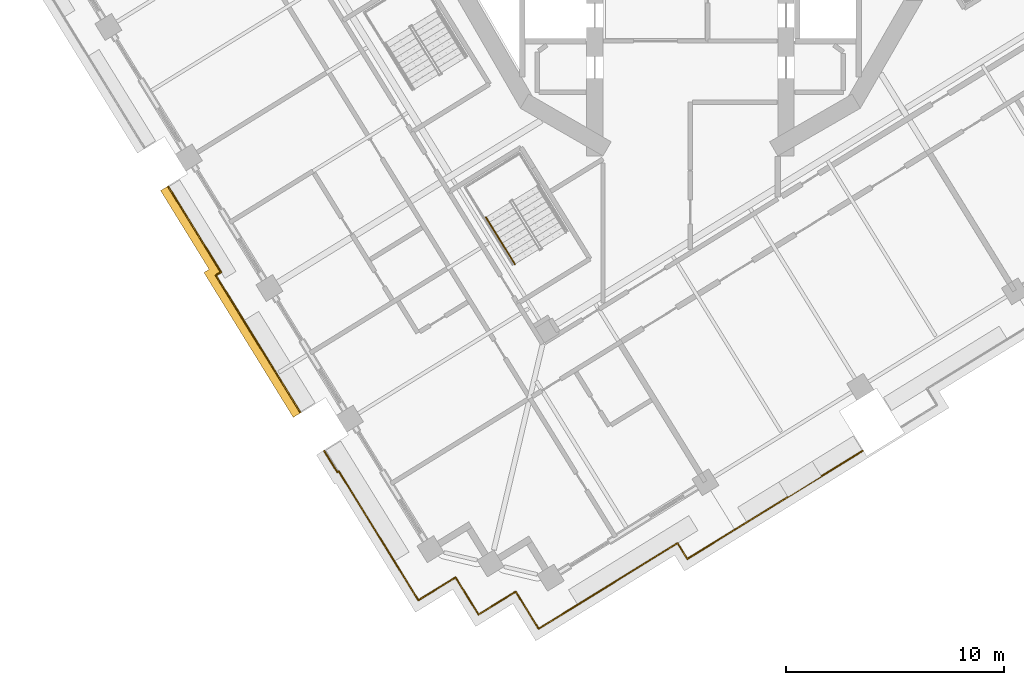
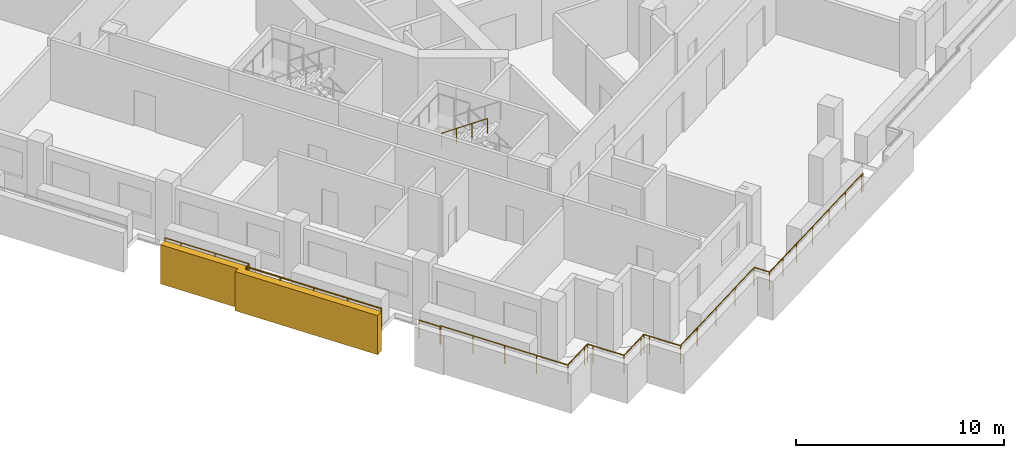
# One storey, part 12 of 21: 5 railings, 1 covering.
"""IFC4 building model written with IfcOpenShell, lengths in metres."""

from ifc_helpers import new_model, si_unit, direction, frame, origin, origin_2d, place, context, subcontext, project, spatial, polyline, circle, outline, extrude, material, type_object, element, save


model = new_model("IFC4")

# Units and contexts
model_context = context("Model", 3, precision=1e-05, world=origin(), true_north=direction((0.0, 1.0)))
body_context = subcontext(model_context, "Body", "Model", "MODEL_VIEW")
ifc_project = project(units=[si_unit("LENGTHUNIT", "METRE"), si_unit("AREAUNIT", "SQUARE_METRE"), si_unit("VOLUMEUNIT", "CUBIC_METRE"), si_unit("PLANEANGLEUNIT", "RADIAN"), si_unit("MASSUNIT", "GRAM", prefix="KILO")], contexts=[model_context])

# Site, building, storey
site_placement = place(None, origin())
site = spatial("IfcSite", under=ifc_project, at=site_placement, CompositionType="ELEMENT")
building_placement = place(site_placement, origin())
building = spatial("IfcBuilding", under=site, at=building_placement, Name="Cantera Rosa Tower", CompositionType="ELEMENT")
storey_placement = place(building_placement, frame((0.0, 0.0, 170.39990234375)))
storey = spatial("IfcBuildingStorey", under=building, at=storey_placement, Name="L37", CompositionType="ELEMENT", Elevation=170.39990234375)

# Railings
ifc_material_1 = material(Name="Stainless steel and laminated glass", Category="steel")
railing_type_1 = type_object("IfcRailingType", Name="GUARD 1100", PredefinedType="BALUSTRADE", material=ifc_material_1)
railing_1_placement = place(storey_placement, frame((-12.44873046875, -30.2958984375, 0.0)))
element("IfcRailing", 1, at=railing_1_placement, inside=storey, type_object=railing_type_1, Name="GUARD L37-1", PredefinedType="BALUSTRADE", context=body_context, shape_type="SweptSolid", body=[
    extrude(circle(Radius=0.030029296875, at=origin_2d()), frame((0.0, 0.0, 1.070068359375), z_axis=(-0.524994468487, 0.851105638601, 0.0), x_axis=(-0.851105638601, -0.524994468487, 0.0)), (0.0, 0.0, 1.0), 1.7001953125),
    extrude(circle(Radius=0.030029296875, at=origin_2d()), frame((-0.892578125, 1.447021484375, 1.070068359375), z_axis=(-0.524980961903, 0.85111396983, 0.0), x_axis=(-0.85111396983, -0.524980961903, 0.0)), (0.0, 0.0, 1.0), 5.240234375),
    extrude(circle(Radius=0.030029296875, at=origin_2d()), frame((-3.6435546875, 5.906982421875, 1.070068359375), z_axis=(-0.851763497745, -0.523926468037, 0.0), x_axis=(0.523926468037, -0.851763497745, 0.0)), (0.0, 0.0, 1.0), 0.07958984375),
    extrude(circle(Radius=0.030029296875, at=origin_2d()), frame((-3.71142578125, 5.865234375, 1.070068359375), z_axis=(-0.524950242429, 0.851132917336, 0.0), x_axis=(-0.851132917336, -0.524950242429, 0.0)), (0.0, 0.0, 1.0), 1.149658203125),
    extrude(circle(Radius=0.02490234375, at=origin_2d()), origin(), (0.0, 0.0, 1.0), 1.0400390625),
    extrude(circle(Radius=0.02490234375, at=origin_2d()), frame((-0.892578125, 1.447021484375, 0.0)), (0.0, 0.0, 1.0), 1.0400390625),
    extrude(circle(Radius=0.02490234375, at=origin_2d()), frame((-1.8095703125, 2.93359375, 0.0)), (0.0, 0.0, 1.0), 1.0400390625),
    extrude(circle(Radius=0.02490234375, at=origin_2d()), frame((-2.7265625, 4.42041015625, 0.0)), (0.0, 0.0, 1.0), 1.0400390625),
    extrude(circle(Radius=0.02490234375, at=origin_2d()), frame((-3.6435546875, 5.906982421875, 0.0)), (0.0, 0.0, 1.0), 1.0400390625),
    extrude(circle(Radius=0.02490234375, at=origin_2d()), frame((-3.71142578125, 5.865234375, 0.0)), (0.0, 0.0, 1.0), 1.0400390625),
    extrude(circle(Radius=0.02490234375, at=origin_2d()), frame((-4.31494140625, 6.84375, 0.0)), (0.0, 0.0, 1.0), 1.0400390625),
])
railing_2_placement = place(storey_placement, frame((7.895263671875, -23.447998046875, 0.0)))
element("IfcRailing", 2, at=railing_2_placement, inside=storey, type_object=railing_type_1, Name="GUARD L37-2", PredefinedType="BALUSTRADE", context=body_context, shape_type="SweptSolid", body=[
    extrude(circle(Radius=0.030029296875, at=origin_2d()), frame((0.0, 0.0, 1.070068359375), z_axis=(-0.851307653292, -0.524666827089, 0.0), x_axis=(0.524666827089, -0.851307653292, 0.0)), (0.0, 0.0, 1.0), 0.11962890625),
    extrude(circle(Radius=0.030029296875, at=origin_2d()), frame((-0.101806640625, -0.062744140625, 1.070068359375), z_axis=(-0.707106781187, -0.707106781187, 0.0), x_axis=(0.707106781187, -0.707106781187, 0.0)), (0.0, 0.0, 1.0), 0.000732421875),
    extrude(circle(Radius=0.030029296875, at=origin_2d()), frame((-0.102294921875, -0.063232421875, 1.070068359375), z_axis=(-0.851112097176, -0.52498399789, 0.0), x_axis=(0.52498399789, -0.851112097176, 0.0)), (0.0, 0.0, 1.0), 6.619873046875),
    extrude(circle(Radius=0.030029296875, at=origin_2d()), frame((-5.736572265625, -3.53857421875, 1.070068359375), z_axis=(-1.0, 0.0, 0.0), x_axis=(0.0, -1.0, 0.0)), (0.0, 0.0, 1.0), 0.000244140625),
    extrude(circle(Radius=0.030029296875, at=origin_2d()), frame((-5.73681640625, -3.53857421875, 1.070068359375), z_axis=(-0.85112106959, -0.524969451396, 0.0), x_axis=(0.524969451396, -0.85112106959, 0.0)), (0.0, 0.0, 1.0), 2.701416015625),
    extrude(circle(Radius=0.030029296875, at=origin_2d()), frame((-8.0361328125, -4.956787109375, 1.070068359375), z_axis=(-0.525120578111, 0.851027836469, 0.0), x_axis=(-0.851027836469, -0.525120578111, 0.0)), (0.0, 0.0, 1.0), 0.851806640625),
    extrude(circle(Radius=0.030029296875, at=origin_2d()), frame((-8.4833984375, -4.23193359375, 1.070068359375), z_axis=(-0.851124537433, -0.524963829021, 0.0), x_axis=(0.524963829021, -0.851124537433, 0.0)), (0.0, 0.0, 1.0), 5.76806640625),
    extrude(circle(Radius=0.030029296875, at=origin_2d()), frame((-13.392822265625, -7.260009765625, 1.070068359375), z_axis=(-0.851130227454, -0.524954603669, 0.0), x_axis=(0.524954603669, -0.851130227454, 0.0)), (0.0, 0.0, 1.0), 1.699951171875),
    extrude(circle(Radius=0.030029296875, at=origin_2d()), frame((-14.839599609375, -8.15234375, 1.070068359375), z_axis=(-0.525058638144, 0.851066052965, 0.0), x_axis=(-0.851066052965, -0.525058638144, 0.0)), (0.0, 0.0, 1.0), 1.699951171875),
    extrude(circle(Radius=0.030029296875, at=origin_2d()), frame((-15.732177734375, -6.70556640625, 1.070068359375), z_axis=(-0.524869051004, 0.85118298814, 0.0), x_axis=(-0.85118298814, -0.524869051004, 0.0)), (0.0, 0.0, 1.0), 0.300048828125),
    extrude(circle(Radius=0.030029296875, at=origin_2d()), frame((-15.8896484375, -6.4501953125, 1.070068359375), z_axis=(-0.85118298814, -0.524869051004, 0.0), x_axis=(0.524869051004, -0.85118298814, 0.0)), (0.0, 0.0, 1.0), 0.300048828125),
    extrude(circle(Radius=0.030029296875, at=origin_2d()), frame((-16.14501953125, -6.607666015625, 1.070068359375), z_axis=(-0.851066052965, -0.525058638144, 0.0), x_axis=(0.525058638144, -0.851066052965, 0.0)), (0.0, 0.0, 1.0), 1.699951171875),
    extrude(circle(Radius=0.030029296875, at=origin_2d()), frame((-17.591796875, -7.500244140625, 1.070068359375), z_axis=(-0.524994468487, 0.851105638601, 0.0), x_axis=(-0.851105638601, -0.524994468487, 0.0)), (0.0, 0.0, 1.0), 1.7001953125),
    extrude(circle(Radius=0.030029296875, at=origin_2d()), frame((-18.484375, -6.05322265625, 1.070068359375), z_axis=(-0.524869051004, 0.85118298814, 0.0), x_axis=(-0.85118298814, -0.524869051004, 0.0)), (0.0, 0.0, 1.0), 0.300048828125),
    extrude(circle(Radius=0.030029296875, at=origin_2d()), frame((-18.641845703125, -5.7978515625, 1.070068359375), z_axis=(-0.85118298814, -0.524869051004, 0.0), x_axis=(0.524869051004, -0.85118298814, 0.0)), (0.0, 0.0, 1.0), 0.300048828125),
    extrude(circle(Radius=0.030029296875, at=origin_2d()), frame((-18.897216796875, -5.955322265625, 1.070068359375), z_axis=(-0.851066052965, -0.525058638144, 0.0), x_axis=(0.525058638144, -0.851066052965, 0.0)), (0.0, 0.0, 1.0), 1.699951171875),
    extrude(circle(Radius=0.02490234375, at=origin_2d()), origin(), (0.0, 0.0, 1.0), 1.0400390625),
    extrude(circle(Radius=0.02490234375, at=origin_2d()), frame((-0.101806640625, -0.062744140625, 0.0)), (0.0, 0.0, 1.0), 1.0400390625),
    extrude(circle(Radius=0.02490234375, at=origin_2d()), frame((-0.102294921875, -0.063232421875, 0.0)), (0.0, 0.0, 1.0), 1.0400390625),
    extrude(circle(Radius=0.02490234375, at=origin_2d()), frame((-1.5107421875, -0.93212890625, 0.0)), (0.0, 0.0, 1.0), 1.0400390625),
    extrude(circle(Radius=0.02490234375, at=origin_2d()), frame((-2.91943359375, -1.80078125, 0.0)), (0.0, 0.0, 1.0), 1.0400390625),
    extrude(circle(Radius=0.02490234375, at=origin_2d()), frame((-4.328125, -2.669677734375, 0.0)), (0.0, 0.0, 1.0), 1.0400390625),
    extrude(circle(Radius=0.02490234375, at=origin_2d()), frame((-5.736572265625, -3.53857421875, 0.0)), (0.0, 0.0, 1.0), 1.0400390625),
    extrude(circle(Radius=0.02490234375, at=origin_2d()), frame((-5.73681640625, -3.53857421875, 0.0)), (0.0, 0.0, 1.0), 1.0400390625),
    extrude(circle(Radius=0.02490234375, at=origin_2d()), frame((-6.886474609375, -4.24755859375, 0.0)), (0.0, 0.0, 1.0), 1.0400390625),
    extrude(circle(Radius=0.02490234375, at=origin_2d()), frame((-8.0361328125, -4.956787109375, 0.0)), (0.0, 0.0, 1.0), 1.0400390625),
    extrude(circle(Radius=0.02490234375, at=origin_2d()), frame((-8.4833984375, -4.23193359375, 0.0)), (0.0, 0.0, 1.0), 1.0400390625),
    extrude(circle(Radius=0.02490234375, at=origin_2d()), frame((-10.119873046875, -5.2412109375, 0.0)), (0.0, 0.0, 1.0), 1.0400390625),
    extrude(circle(Radius=0.02490234375, at=origin_2d()), frame((-11.75634765625, -6.250732421875, 0.0)), (0.0, 0.0, 1.0), 1.0400390625),
    extrude(circle(Radius=0.02490234375, at=origin_2d()), frame((-13.392822265625, -7.260009765625, 0.0)), (0.0, 0.0, 1.0), 1.0400390625),
    extrude(circle(Radius=0.02490234375, at=origin_2d()), frame((-14.839599609375, -8.15234375, 0.0)), (0.0, 0.0, 1.0), 1.0400390625),
    extrude(circle(Radius=0.02490234375, at=origin_2d()), frame((-15.732177734375, -6.70556640625, 0.0)), (0.0, 0.0, 1.0), 1.0400390625),
    extrude(circle(Radius=0.02490234375, at=origin_2d()), frame((-15.8896484375, -6.4501953125, 0.0)), (0.0, 0.0, 1.0), 1.0400390625),
    extrude(circle(Radius=0.02490234375, at=origin_2d()), frame((-16.14501953125, -6.607666015625, 0.0)), (0.0, 0.0, 1.0), 1.0400390625),
    extrude(circle(Radius=0.02490234375, at=origin_2d()), frame((-17.591796875, -7.500244140625, 0.0)), (0.0, 0.0, 1.0), 1.0400390625),
    extrude(circle(Radius=0.02490234375, at=origin_2d()), frame((-18.484375, -6.05322265625, 0.0)), (0.0, 0.0, 1.0), 1.0400390625),
    extrude(circle(Radius=0.02490234375, at=origin_2d()), frame((-18.641845703125, -5.7978515625, 0.0)), (0.0, 0.0, 1.0), 1.0400390625),
    extrude(circle(Radius=0.02490234375, at=origin_2d()), frame((-18.897216796875, -5.955322265625, 0.0)), (0.0, 0.0, 1.0), 1.0400390625),
    extrude(circle(Radius=0.02490234375, at=origin_2d()), frame((-20.343994140625, -6.847900390625, 0.0)), (0.0, 0.0, 1.0), 1.0400390625),
])
railing_3_placement = place(storey_placement, frame((-21.7138671875, -15.426513671875, 0.0)))
element("IfcRailing", 3, at=railing_3_placement, inside=storey, type_object=railing_type_1, Name="GUARD L37-3", PredefinedType="BALUSTRADE", context=body_context, shape_type="SweptSolid", body=[
    extrude(circle(Radius=0.030029296875, at=origin_2d()), frame((0.0, 0.0, 1.070068359375), z_axis=(0.850637179095, 0.525753164081, 0.0), x_axis=(-0.525753164081, 0.850637179095, 0.0)), (0.0, 0.0, 1.0), 0.279541015625),
    extrude(circle(Radius=0.030029296875, at=origin_2d()), frame((0.23779296875, 0.14697265625, 1.070068359375), z_axis=(-0.524949392949, 0.851133441267, 0.0), x_axis=(-0.851133441267, -0.524949392949, 0.0)), (0.0, 0.0, 1.0), 3.740234375),
    extrude(circle(Radius=0.030029296875, at=origin_2d()), frame((-1.7255859375, 3.330322265625, 1.070068359375), z_axis=(-0.525020841331, 0.851089370259, 0.0), x_axis=(-0.851089370259, -0.525020841331, 0.0)), (0.0, 0.0, 1.0), 0.8701171875),
    extrude(circle(Radius=0.02490234375, at=origin_2d()), origin(), (0.0, 0.0, 1.0), 1.0400390625),
    extrude(circle(Radius=0.02490234375, at=origin_2d()), frame((0.23779296875, 0.14697265625, 0.0)), (0.0, 0.0, 1.0), 1.0400390625),
    extrude(circle(Radius=0.02490234375, at=origin_2d()), frame((-0.743896484375, 1.73876953125, 0.0)), (0.0, 0.0, 1.0), 1.0400390625),
    extrude(circle(Radius=0.02490234375, at=origin_2d()), frame((-1.7255859375, 3.330322265625, 0.0)), (0.0, 0.0, 1.0), 1.0400390625),
    extrude(circle(Radius=0.02490234375, at=origin_2d()), frame((-2.182373046875, 4.07080078125, 0.0)), (0.0, 0.0, 1.0), 1.0400390625),
])
railing_4_placement = place(storey_placement, frame((-17.844970703125, -21.69873046875, 0.0)))
element("IfcRailing", 4, at=railing_4_placement, inside=storey, type_object=railing_type_1, Name="GUARD L37-4", PredefinedType="BALUSTRADE", context=body_context, shape_type="SweptSolid", body=[
    extrude(circle(Radius=0.030029296875, at=origin_2d()), frame((0.0, 0.0, 1.070068359375), z_axis=(-0.524989905381, 0.851108453282, 0.0), x_axis=(-0.851108453282, -0.524989905381, 0.0)), (0.0, 0.0, 1.0), 7.369384765625),
    extrude(circle(Radius=0.02490234375, at=origin_2d()), origin(), (0.0, 0.0, 1.0), 1.0400390625),
    extrude(circle(Radius=0.02490234375, at=origin_2d()), frame((-0.96728515625, 1.568115234375, 0.0)), (0.0, 0.0, 1.0), 1.0400390625),
    extrude(circle(Radius=0.02490234375, at=origin_2d()), frame((-1.9345703125, 3.13623046875, 0.0)), (0.0, 0.0, 1.0), 1.0400390625),
    extrude(circle(Radius=0.02490234375, at=origin_2d()), frame((-2.901611328125, 4.7041015625, 0.0)), (0.0, 0.0, 1.0), 1.0400390625),
    extrude(circle(Radius=0.02490234375, at=origin_2d()), frame((-3.868896484375, 6.272216796875, 0.0)), (0.0, 0.0, 1.0), 1.0400390625),
])
ifc_material_2 = material(Name="Steel S355J2 (EN 10025-2)", Category="steel")
railing_type_2 = type_object("IfcRailingType", Name="STAIR HANDRAIL 900", PredefinedType="HANDRAIL", material=ifc_material_2)
railing_5_placement = place(storey_placement, frame((-9.358154296875, -12.7685546875, 2.090087890625)))
element("IfcRailing", 5, at=railing_5_placement, inside=storey, type_object=railing_type_2, Name="L37 ST-33 stair handrail 2", PredefinedType="HANDRAIL", context=body_context, shape_type="SweptSolid", body=[
    extrude(circle(Radius=0.02392578125, at=origin_2d()), frame((0.0, 0.0, 0.8759765625), z_axis=(0.434362572038, -0.70429590169, 0.561512634654), x_axis=(0.851145618652, 0.524929648476, 0.0)), (0.0, 0.0, 1.0), 3.045166015625),
    extrude(circle(Radius=0.02099609375, at=origin_2d()), origin(), (0.0, 0.0, 1.0), 0.851806640625),
    extrude(circle(Radius=0.02099609375, at=origin_2d()), frame((0.44091796875, -0.71484375, 0.570068359375)), (0.0, 0.0, 1.0), 0.851806640625),
    extrude(circle(Radius=0.02099609375, at=origin_2d()), frame((0.8818359375, -1.429931640625, 1.139892578125)), (0.0, 0.0, 1.0), 0.851806640625),
    extrude(circle(Radius=0.02099609375, at=origin_2d()), frame((1.32275390625, -2.144775390625, 1.7099609375)), (0.0, 0.0, 1.0), 0.851806640625),
])

# Covering
ifc_material_3 = material(Name="Cantera stone", Category="masonry")
covering_type = type_object("IfcCoveringType", Name="TRAY FASCIA 400", PredefinedType="CLADDING", material=ifc_material_3)
covering_placement = place(storey_placement, frame((0.0, 0.0, -1.39990234375)))
element("IfcCovering", 6, at=covering_placement, inside=storey, type_object=covering_type, Name="TRAY FASCIA L37-02", PredefinedType="CLADDING", context=body_context, shape_type="SweptSolid", body=[
    extrude(outline(polyline([(-24.247314453125, -11.548583984375), (-23.90673828125, -11.338623046875), (-23.439453125, -12.09619140625), (-21.47607421875, -15.279541015625), (-21.7138671875, -15.426513671875), (-17.83447265625, -21.7158203125), (-18.175048828125, -21.92578125), (-22.264404296875, -15.2958984375), (-22.0263671875, -15.149169921875), (-23.780029296875, -12.30615234375), (-24.247314453125, -11.548583984375)])), origin(), (0.0, 0.0, 1.0), 2.300048828125),
])

save(model, "model.ifc")
